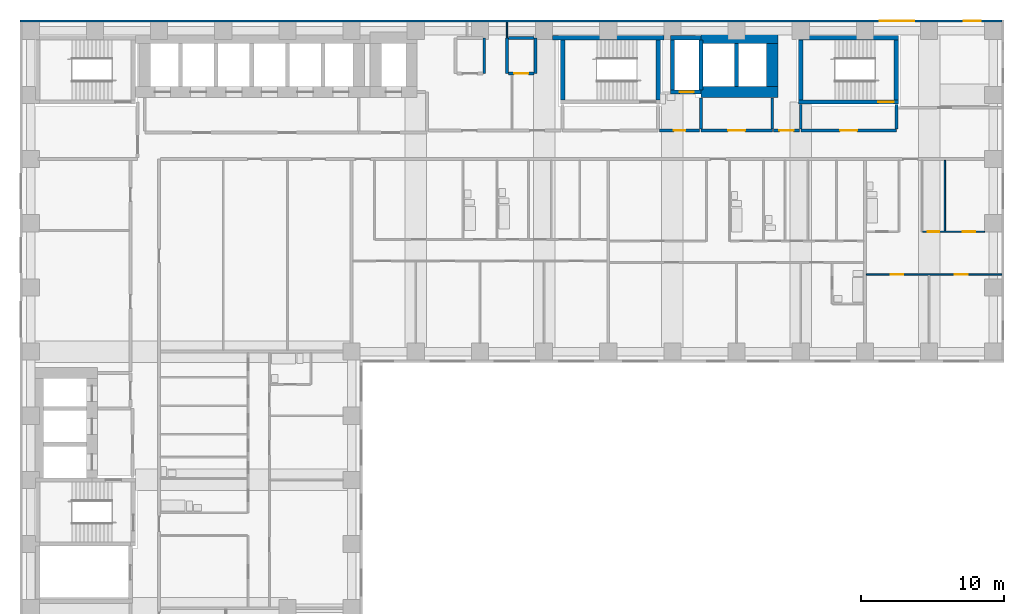
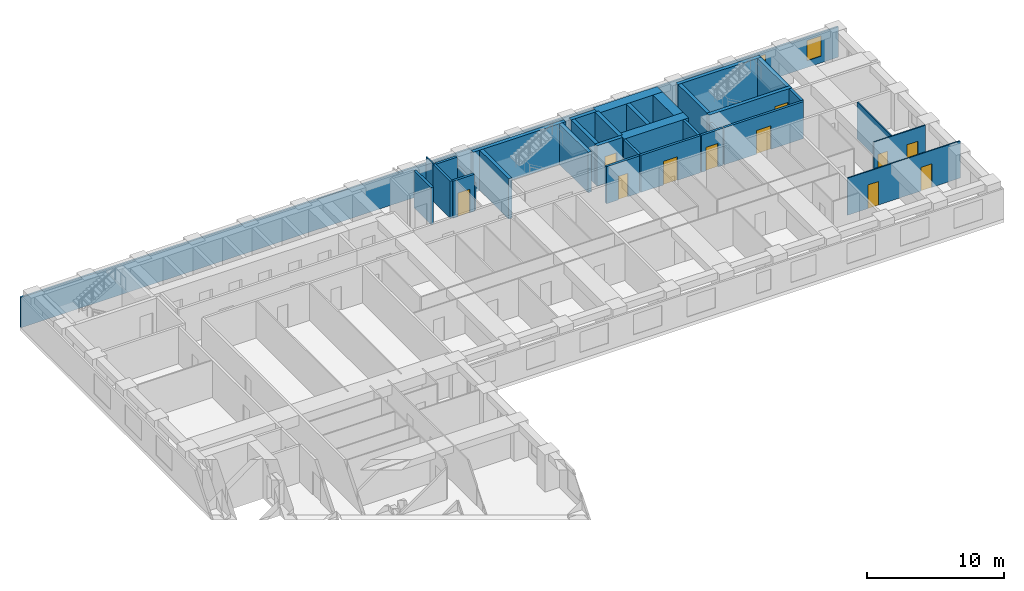
# One storey, part 8 of 12: 33 walls, 11 doors, 2 windows, 13 openings.
"""IFC4 building model written with IfcOpenShell, lengths in metres."""

from ifc_helpers import new_model, si_unit, direction, frame, frame_2d, origin, place, context, subcontext, project, spatial, rectangle, extrude, material, layer, layer_set, type_object, element, fill, save


model = new_model("IFC4")

# Units and contexts
model_context = context("Model", 3, precision=1e-05, world=origin(), true_north=direction((0.0, 1.0)))
body_context = subcontext(model_context, "Body", "Model", "MODEL_VIEW")
ifc_project = project(units=[si_unit("LENGTHUNIT", "METRE"), si_unit("AREAUNIT", "SQUARE_METRE"), si_unit("VOLUMEUNIT", "CUBIC_METRE"), si_unit("PLANEANGLEUNIT", "RADIAN"), si_unit("MASSUNIT", "GRAM", prefix="KILO")], contexts=[model_context])

# Site, building, storey
site_placement = place(None, origin())
site = spatial("IfcSite", under=ifc_project, at=site_placement, CompositionType="ELEMENT")
building_placement = place(site_placement, origin())
building = spatial("IfcBuilding", under=site, at=building_placement, Name="Firuza Court", CompositionType="ELEMENT")
storey_placement = place(building_placement, frame((0.0, 0.0, 97.39990234375)))
storey = spatial("IfcBuildingStorey", under=building, at=storey_placement, Name="L24", CompositionType="ELEMENT", Elevation=97.39990234375)

# Walls
ifc_material_1 = material(Name="Concrete C60/75", Category="concrete")
ifc_layer_1 = layer(ifc_material_1, 0.300048828125)
ifc_layer_set_1 = layer_set([ifc_layer_1], Name="Concrete C60/75")
wall_type_1 = type_object("IfcWallType", Name="Core wall 300 C60/75", PredefinedType="SHEAR", material=ifc_layer_set_1)
wall_1_placement = place(storey_placement, frame((36.60009765625, 58.0, -0.2998046875), z_axis=(0.0, 0.0, 1.0), x_axis=(1.0, 0.0, 0.0)))
element("IfcWall", 1, at=wall_1_placement, inside=storey, type_object=wall_type_1, Name="Core wall stair L24", PredefinedType="SHEAR", context=body_context, shape_type="SweptSolid", body=[
    extrude(rectangle(XDim=7.7998046875, YDim=0.300048828125, at=frame_2d((3.89990234375, 0.0))), origin(), (0.0, 0.0, 1.0), 3.599853515625),
])
for number, where, z_axis, x_axis, name in (
    (2, (37.300048828125, 53.64990234375, -0.2998046875), (0.0, 0.0, 1.0), (0.0, 1.0, 0.0), "Core wall stair L24"),
    (3, (44.0, 53.64990234375, -0.2998046875), (0.0, 0.0, 1.0), (0.0, 1.0, 0.0), "Core wall stair L24"),
):
    element("IfcWall", number, at=place(storey_placement, frame(where, z_axis=z_axis, x_axis=x_axis)), inside=storey, type_object=wall_type_1, Name=name, PredefinedType="SHEAR", context=body_context, shape_type="SweptSolid", body=[
        extrude(rectangle(XDim=4.2001953125, YDim=0.300048828125, at=frame_2d((2.10009765625, 0.0))), origin(), (0.0, 0.0, 1.0), 3.599853515625),
    ])

# Wall, opening, door
wall_2_placement = place(storey_placement, frame((44.85009765625, 54.199951171875, -0.2998046875), z_axis=(0.0, 0.0, 1.0), x_axis=(1.0, 0.0, 0.0)))
wall_2 = element("IfcWall", 4, at=wall_2_placement, inside=storey, type_object=wall_type_1, Name="Core wall riser L24", PredefinedType="SHEAR", context=body_context, shape_type="SweptSolid", body=[
    extrude(rectangle(XDim=2.14990234375, YDim=0.300048828125, at=frame_2d((1.074951171875, 0.0))), origin(), (0.0, 0.0, 1.0), 3.599853515625),
])
opening_1_placement = place(wall_2_placement, frame((0.64990234375, 0.0, 0.300048828125)))
opening_1 = element("IfcOpeningElement", 5, at=opening_1_placement, cuts=wall_2, Name="Opening D24011", PredefinedType="OPENING", context=body_context, shape_type="SweptSolid", body=[
    extrude(rectangle(XDim=1.0, YDim=2.10009765625, at=frame_2d((0.5, 1.050048828125))), frame((0.0, 0.162109375, 0.0), z_axis=(0.0, -1.0, 0.0), x_axis=(1.0, 0.0, 0.0)), (0.0, 0.0, 1.0), 0.323974609375),
])
ifc_material_2 = material(Name="Timber door leaf in hardwood frame", Category="wood")
door_type_1 = type_object("IfcDoorType", Name="Riser door 1000", OperationType="SINGLE_SWING_LEFT", PredefinedType="DOOR", material=ifc_material_2)
door_1_placement = place(opening_1_placement, origin())
door_1 = element("IfcDoor", 6, at=door_1_placement, inside=storey, type_object=door_type_1, Name="Riser door R3", OperationType="SINGLE_SWING_LEFT", OverallHeight=2.10009765625, OverallWidth=1.0, PredefinedType="DOOR", context=body_context, shape_type="SweptSolid", body=[
    extrude(rectangle(XDim=1.0, YDim=2.10009765625, at=frame_2d((0.5, 1.050048828125))), frame((0.0, 0.02490234375, 0.0), z_axis=(0.0, -1.0, 0.0), x_axis=(1.0, 0.0, 0.0)), (0.0, 0.0, 1.0), 0.050048828125),
])
fill(opening_1, door_1)

# Walls
wall_3_placement = place(storey_placement, frame((44.85009765625, 58.0, -0.2998046875), z_axis=(0.0, 0.0, 1.0), x_axis=(1.0, 0.0, 0.0)))
element("IfcWall", 7, at=wall_3_placement, inside=storey, type_object=wall_type_1, Name="Core wall riser L24", PredefinedType="SHEAR", context=body_context, shape_type="SweptSolid", body=[
    extrude(rectangle(XDim=2.14990234375, YDim=0.300048828125, at=frame_2d((1.074951171875, 0.0))), origin(), (0.0, 0.0, 1.0), 3.599853515625),
])
for number, where, z_axis, x_axis, name in (
    (8, (45.0, 54.35009765625, -0.2998046875), (0.0, 0.0, 1.0), (0.0, 1.0, 0.0), "Core wall riser L24"),
    (9, (47.0, 54.35009765625, -0.2998046875), (0.0, 0.0, 1.0), (0.0, 1.0, 0.0), "Core wall lift shaft L24"),
):
    element("IfcWall", number, at=place(storey_placement, frame(where, z_axis=z_axis, x_axis=x_axis)), inside=storey, type_object=wall_type_1, Name=name, PredefinedType="SHEAR", context=body_context, shape_type="SweptSolid", body=[
        extrude(rectangle(XDim=3.5, YDim=0.300048828125, at=frame_2d((1.75, 0.0))), origin(), (0.0, 0.0, 1.0), 3.599853515625),
    ])
wall_4_placement = place(storey_placement, frame((49.5, 54.60009765625, -0.2998046875), z_axis=(0.0, 0.0, 1.0), x_axis=(0.0, 1.0, 0.0)))
element("IfcWall", 10, at=wall_4_placement, inside=storey, type_object=wall_type_1, Name="Core wall lift shaft L24", PredefinedType="SHEAR", context=body_context, shape_type="SweptSolid", body=[
    extrude(rectangle(XDim=3.0, YDim=0.300048828125, at=frame_2d((1.5, 0.0))), origin(), (0.0, 0.0, 1.0), 3.599853515625),
])

# Wall, opening, door
wall_5_placement = place(storey_placement, frame((53.85009765625, 53.5, -0.2998046875), z_axis=(0.0, 0.0, 1.0), x_axis=(1.0, 0.0, 0.0)))
wall_5 = element("IfcWall", 11, at=wall_5_placement, inside=storey, type_object=wall_type_1, Name="Core wall stair L24", PredefinedType="SHEAR", context=body_context, shape_type="SweptSolid", body=[
    extrude(rectangle(XDim=7.0, YDim=0.300048828125, at=frame_2d((3.5, 0.0))), origin(), (0.0, 0.0, 1.0), 3.599853515625),
])
opening_2_placement = place(wall_5_placement, frame((5.580078125, 0.0, 0.300048828125)))
opening_2 = element("IfcOpeningElement", 12, at=opening_2_placement, cuts=wall_5, Name="Opening D24017", PredefinedType="OPENING", context=body_context, shape_type="SweptSolid", body=[
    extrude(rectangle(XDim=1.10009765625, YDim=2.10009765625, at=frame_2d((0.550048828125, 1.050048828125))), frame((0.0, 0.162109375, 0.0), z_axis=(0.0, -1.0, 0.0), x_axis=(1.0, 0.0, 0.0)), (0.0, 0.0, 1.0), 0.323974609375),
])
ifc_material_3 = material(Name="Timber door leaf in hardwood frame", Category="wood")
door_type_2 = type_object("IfcDoorType", Name="Stair door 1100", OperationType="SINGLE_SWING_LEFT", PredefinedType="DOOR", material=ifc_material_3)
door_2_placement = place(opening_2_placement, origin())
door_2 = element("IfcDoor", 13, at=door_2_placement, inside=storey, type_object=door_type_2, Name="Stair door S4", OperationType="SINGLE_SWING_RIGHT", OverallHeight=2.10009765625, OverallWidth=1.10009765625, PredefinedType="DOOR", context=body_context, shape_type="SweptSolid", body=[
    extrude(rectangle(XDim=1.10009765625, YDim=2.10009765625, at=frame_2d((0.550048828125, 1.050048828125))), frame((0.0, 0.02490234375, 0.0), z_axis=(0.0, -1.0, 0.0), x_axis=(1.0, 0.0, 0.0)), (0.0, 0.0, 1.0), 0.050048828125),
])
fill(opening_2, door_2)

# Walls
wall_6_placement = place(storey_placement, frame((53.85009765625, 58.0, -0.2998046875), z_axis=(0.0, 0.0, 1.0), x_axis=(1.0, 0.0, 0.0)))
element("IfcWall", 14, at=wall_6_placement, inside=storey, type_object=wall_type_1, Name="Core wall stair L24", PredefinedType="SHEAR", context=body_context, shape_type="SweptSolid", body=[
    extrude(rectangle(XDim=7.0, YDim=0.300048828125, at=frame_2d((3.5, 0.0))), origin(), (0.0, 0.0, 1.0), 3.599853515625),
])
for number, where, z_axis, x_axis, name in (
    (15, (54.0, 53.64990234375, -0.2998046875), (0.0, 0.0, 1.0), (0.0, 1.0, 0.0), "Core wall stair L24"),
    (16, (60.699951171875, 53.64990234375, -0.2998046875), (0.0, 0.0, 1.0), (0.0, 1.0, 0.0), "Core wall stair L24"),
):
    element("IfcWall", number, at=place(storey_placement, frame(where, z_axis=z_axis, x_axis=x_axis)), inside=storey, type_object=wall_type_1, Name=name, PredefinedType="SHEAR", context=body_context, shape_type="SweptSolid", body=[
        extrude(rectangle(XDim=4.2001953125, YDim=0.300048828125, at=frame_2d((2.10009765625, 0.0))), origin(), (0.0, 0.0, 1.0), 3.599853515625),
    ])
ifc_layer_2 = layer(ifc_material_1, 0.800048828125)
ifc_layer_set_2 = layer_set([ifc_layer_2], Name="Concrete C60/75")
wall_type_2 = type_object("IfcWallType", Name="Core wall 800 C60/75", PredefinedType="SHEAR", material=ifc_layer_set_2)
for number, where, z_axis, x_axis, name in (
    (17, (47.0, 54.199951171875, -0.2998046875), (0.0, 0.0, 1.0), (1.0, 0.0, 0.0), "Core wall lift shaft L24"),
    (18, (47.0, 58.0, -0.2998046875), (0.0, 0.0, 1.0), (1.0, 0.0, 0.0), "Core wall lift shaft L24"),
):
    element("IfcWall", number, at=place(storey_placement, frame(where, z_axis=z_axis, x_axis=x_axis)), inside=storey, type_object=wall_type_2, Name=name, PredefinedType="SHEAR", context=body_context, shape_type="SweptSolid", body=[
        extrude(rectangle(XDim=5.39990234375, YDim=0.800048828125, at=frame_2d((2.699951171875, 0.0))), origin(), (0.0, 0.0, 1.0), 3.599853515625),
    ])
wall_7_placement = place(storey_placement, frame((52.0, 54.60009765625, -0.2998046875), z_axis=(0.0, 0.0, 1.0), x_axis=(0.0, 1.0, 0.0)))
element("IfcWall", 19, at=wall_7_placement, inside=storey, type_object=wall_type_2, Name="Core wall lift shaft L24", PredefinedType="SHEAR", context=body_context, shape_type="SweptSolid", body=[
    extrude(rectangle(XDim=3.0, YDim=0.800048828125, at=frame_2d((1.5, 0.0))), origin(), (0.0, 0.0, 1.0), 3.599853515625),
])

# Wall, opening, door
ifc_material_4 = material(Name="Blockwork, plastered both sides", Category="masonry")
ifc_layer_3 = layer(ifc_material_4, 0.199951171875)
ifc_layer_set_3 = layer_set([ifc_layer_3], Name="Blockwork, plastered both sides")
wall_type_3 = type_object("IfcWallType", Name="Corridor wall 200", PredefinedType="PARTITIONING", material=ifc_layer_set_3)
wall_8_placement = place(storey_placement, frame((44.10009765625, 51.5, 0.0), z_axis=(0.0, 0.0, 1.0), x_axis=(1.0, 0.0, 0.0)))
wall_8 = element("IfcWall", 20, at=wall_8_placement, inside=storey, type_object=wall_type_3, Name="Corridor wall 200 L24", PredefinedType="PARTITIONING", context=body_context, shape_type="SweptSolid", body=[
    extrude(rectangle(XDim=2.7998046875, YDim=0.199951171875, at=frame_2d((1.39990234375, 0.0))), origin(), (0.0, 0.0, 1.0), 3.300048828125),
])
opening_3_placement = place(wall_8_placement, frame((1.0, 0.0, 0.0)))
opening_3 = element("IfcOpeningElement", 21, at=opening_3_placement, cuts=wall_8, Name="Opening D24073", PredefinedType="OPENING", context=body_context, shape_type="SweptSolid", body=[
    extrude(rectangle(XDim=0.800048828125, YDim=2.10009765625, at=frame_2d((0.39990234375, 1.050048828125))), frame((0.0, 0.11181640625, 0.0), z_axis=(0.0, -1.0, 0.0), x_axis=(1.0, 0.0, 0.0)), (0.0, 0.0, 1.0), 0.223876953125),
])
ifc_material_5 = material(Name="Timber door leaf in hardwood frame", Category="wood")
door_type_3 = type_object("IfcDoorType", Name="Bathroom door 800 EI 30", OperationType="SINGLE_SWING_LEFT", PredefinedType="DOOR", material=ifc_material_5)
door_3_placement = place(opening_3_placement, origin())
door_3 = element("IfcDoor", 22, at=door_3_placement, inside=storey, type_object=door_type_3, Name="Accessible WC door", OperationType="SINGLE_SWING_LEFT", OverallHeight=2.10009765625, OverallWidth=0.800048828125, PredefinedType="DOOR", context=body_context, shape_type="SweptSolid", body=[
    extrude(rectangle(XDim=0.800048828125, YDim=2.10009765625, at=frame_2d((0.39990234375, 1.050048828125))), frame((0.0, 0.02490234375, 0.0), z_axis=(0.0, -1.0, 0.0), x_axis=(1.0, 0.0, 0.0)), (0.0, 0.0, 1.0), 0.050048828125),
])
fill(opening_3, door_3)

wall_9_placement = place(storey_placement, frame((52.10009765625, 51.5, 0.0), z_axis=(0.0, 0.0, 1.0), x_axis=(1.0, 0.0, 0.0)))
wall_9 = element("IfcWall", 23, at=wall_9_placement, inside=storey, type_object=wall_type_3, Name="Corridor wall 200 L24", PredefinedType="PARTITIONING", context=body_context, shape_type="SweptSolid", body=[
    extrude(rectangle(XDim=1.7998046875, YDim=0.199951171875, at=frame_2d((0.89990234375, 0.0))), origin(), (0.0, 0.0, 1.0), 3.300048828125),
])
opening_4_placement = place(wall_9_placement, frame((0.39990234375, 0.0, 0.0)))
opening_4 = element("IfcOpeningElement", 24, at=opening_4_placement, cuts=wall_9, Name="Opening D24074", PredefinedType="OPENING", context=body_context, shape_type="SweptSolid", body=[
    extrude(rectangle(XDim=1.0, YDim=2.10009765625, at=frame_2d((0.5, 1.050048828125))), frame((0.0, 0.11181640625, 0.0), z_axis=(0.0, -1.0, 0.0), x_axis=(1.0, 0.0, 0.0)), (0.0, 0.0, 1.0), 0.223876953125),
])
ifc_material_6 = material(Name="Timber door leaf in hardwood frame", Category="wood")
door_type_4 = type_object("IfcDoorType", Name="Store door 1000", OperationType="SINGLE_SWING_LEFT", PredefinedType="DOOR", material=ifc_material_6)
door_4_placement = place(opening_4_placement, origin())
door_4 = element("IfcDoor", 25, at=door_4_placement, inside=storey, type_object=door_type_4, Name="Cleaner's store door", OperationType="SINGLE_SWING_LEFT", OverallHeight=2.10009765625, OverallWidth=1.0, PredefinedType="DOOR", context=body_context, shape_type="SweptSolid", body=[
    extrude(rectangle(XDim=1.0, YDim=2.10009765625, at=frame_2d((0.5, 1.050048828125))), frame((0.0, 0.02490234375, 0.0), z_axis=(0.0, -1.0, 0.0), x_axis=(1.0, 0.0, 0.0)), (0.0, 0.0, 1.0), 0.050048828125),
])
fill(opening_4, door_4)

# Wall, openings, doors
ifc_material_7 = material(Name="Timber stud partition, plasterboard both sides", Category="wood")
ifc_layer_4 = layer(ifc_material_7, 0.10009765625)
ifc_layer_set_4 = layer_set([ifc_layer_4], Name="Timber stud partition, plasterboard both sides")
wall_type_4 = type_object("IfcWallType", Name="Partition wall 100", PredefinedType="PARTITIONING", material=ifc_layer_set_4)
wall_10_placement = place(storey_placement, frame((58.60009765625, 41.39990234375, 0.0), z_axis=(0.0, 0.0, 1.0), x_axis=(1.0, 0.0, 0.0)))
wall_10 = element("IfcWall", 26, at=wall_10_placement, inside=storey, type_object=wall_type_4, Name="Partition wall 100 L24", PredefinedType="PARTITIONING", context=body_context, shape_type="SweptSolid", body=[
    extrude(rectangle(XDim=9.5, YDim=0.10009765625, at=frame_2d((4.75, 0.0))), origin(), (0.0, 0.0, 1.0), 3.300048828125),
])
opening_5_placement = place(wall_10_placement, frame((1.699951171875, 0.0, 0.0)))
opening_5 = element("IfcOpeningElement", 27, at=opening_5_placement, cuts=wall_10, Name="Opening D24042", PredefinedType="OPENING", context=body_context, shape_type="SweptSolid", body=[
    extrude(rectangle(XDim=0.89990234375, YDim=2.10009765625, at=frame_2d((0.449951171875, 1.050048828125))), frame((0.0, 0.06201171875, 0.0), z_axis=(0.0, -1.0, 0.0), x_axis=(1.0, 0.0, 0.0)), (0.0, 0.0, 1.0), 0.1240234375),
])
opening_6_placement = place(wall_10_placement, frame((6.199951171875, 0.0, 0.0)))
opening_6 = element("IfcOpeningElement", 28, at=opening_6_placement, cuts=wall_10, Name="Opening D24043", PredefinedType="OPENING", context=body_context, shape_type="SweptSolid", body=[
    extrude(rectangle(XDim=0.89990234375, YDim=2.10009765625, at=frame_2d((0.449951171875, 1.050048828125))), frame((0.0, 0.06201171875, 0.0), z_axis=(0.0, -1.0, 0.0), x_axis=(1.0, 0.0, 0.0)), (0.0, 0.0, 1.0), 0.1240234375),
])
ifc_material_8 = material(Name="Timber door leaf in hardwood frame", Category="wood")
door_type_5 = type_object("IfcDoorType", Name="Room door 900", OperationType="SINGLE_SWING_LEFT", PredefinedType="DOOR", material=ifc_material_8)
door_5_placement = place(opening_5_placement, frame((0.89990234375, 0.0, 0.0), z_axis=(0.0, 0.0, 1.0), x_axis=(-1.0, 0.0, 0.0)))
door_5 = element("IfcDoor", 29, at=door_5_placement, inside=storey, type_object=door_type_5, Name="Bedroom door", OperationType="SINGLE_SWING_RIGHT", OverallHeight=2.10009765625, OverallWidth=0.89990234375, PredefinedType="DOOR", context=body_context, shape_type="SweptSolid", body=[
    extrude(rectangle(XDim=0.89990234375, YDim=2.10009765625, at=frame_2d((0.449951171875, 1.050048828125))), frame((0.0, 0.02490234375, 0.0), z_axis=(0.0, -1.0, 0.0), x_axis=(1.0, 0.0, 0.0)), (0.0, 0.0, 1.0), 0.050048828125),
])
fill(opening_5, door_5)
door_6_placement = place(opening_6_placement, frame((0.89990234375, 0.0, 0.0), z_axis=(0.0, 0.0, 1.0), x_axis=(-1.0, 0.0, 0.0)))
door_6 = element("IfcDoor", 30, at=door_6_placement, inside=storey, type_object=door_type_5, Name="Living room door", OperationType="SINGLE_SWING_RIGHT", OverallHeight=2.10009765625, OverallWidth=0.89990234375, PredefinedType="DOOR", context=body_context, shape_type="SweptSolid", body=[
    extrude(rectangle(XDim=0.89990234375, YDim=2.10009765625, at=frame_2d((0.449951171875, 1.050048828125))), frame((0.0, 0.02490234375, 0.0), z_axis=(0.0, -1.0, 0.0), x_axis=(1.0, 0.0, 0.0)), (0.0, 0.0, 1.0), 0.050048828125),
])
fill(opening_6, door_6)

wall_11_placement = place(storey_placement, frame((62.550048828125, 44.39990234375, 0.0), z_axis=(0.0, 0.0, 1.0), x_axis=(1.0, 0.0, 0.0)))
wall_11 = element("IfcWall", 31, at=wall_11_placement, inside=storey, type_object=wall_type_4, Name="Partition wall 100 L24", PredefinedType="PARTITIONING", context=body_context, shape_type="SweptSolid", body=[
    extrude(rectangle(XDim=4.349853515625, YDim=0.10009765625, at=frame_2d((2.1748046875, 0.0))), origin(), (0.0, 0.0, 1.0), 3.300048828125),
])
opening_7_placement = place(wall_11_placement, frame((2.800048828125, 0.0, 0.0)))
opening_7 = element("IfcOpeningElement", 32, at=opening_7_placement, cuts=wall_11, Name="Opening D24064", PredefinedType="OPENING", context=body_context, shape_type="SweptSolid", body=[
    extrude(rectangle(XDim=0.89990234375, YDim=2.10009765625, at=frame_2d((0.449951171875, 1.050048828125))), frame((0.0, 0.06201171875, 0.0), z_axis=(0.0, -1.0, 0.0), x_axis=(1.0, 0.0, 0.0)), (0.0, 0.0, 1.0), 0.1240234375),
])
opening_8_placement = place(wall_11_placement, frame((0.35009765625, 0.0, 0.0)))
opening_8 = element("IfcOpeningElement", 33, at=opening_8_placement, cuts=wall_11, Name="Opening D24065", PredefinedType="OPENING", context=body_context, shape_type="SweptSolid", body=[
    extrude(rectangle(XDim=0.800048828125, YDim=2.10009765625, at=frame_2d((0.39990234375, 1.050048828125))), frame((0.0, 0.06201171875, 0.0), z_axis=(0.0, -1.0, 0.0), x_axis=(1.0, 0.0, 0.0)), (0.0, 0.0, 1.0), 0.1240234375),
])
ifc_material_9 = material(Name="Timber door leaf in hardwood frame", Category="wood")
door_type_6 = type_object("IfcDoorType", Name="Room door 800", OperationType="SINGLE_SWING_LEFT", PredefinedType="DOOR", material=ifc_material_9)
door_7_placement = place(opening_8_placement, origin())
door_7 = element("IfcDoor", 34, at=door_7_placement, inside=storey, type_object=door_type_6, Name="Store door", OperationType="SINGLE_SWING_LEFT", OverallHeight=2.10009765625, OverallWidth=0.800048828125, PredefinedType="DOOR", context=body_context, shape_type="SweptSolid", body=[
    extrude(rectangle(XDim=0.800048828125, YDim=2.10009765625, at=frame_2d((0.39990234375, 1.050048828125))), frame((0.0, 0.02490234375, 0.0), z_axis=(0.0, -1.0, 0.0), x_axis=(1.0, 0.0, 0.0)), (0.0, 0.0, 1.0), 0.050048828125),
])
fill(opening_8, door_7)
door_8_placement = place(opening_7_placement, origin())
door_8 = element("IfcDoor", 35, at=door_8_placement, inside=storey, type_object=door_type_5, Name="Kitchen door", OperationType="SINGLE_SWING_RIGHT", OverallHeight=2.10009765625, OverallWidth=0.89990234375, PredefinedType="DOOR", context=body_context, shape_type="SweptSolid", body=[
    extrude(rectangle(XDim=0.89990234375, YDim=2.10009765625, at=frame_2d((0.449951171875, 1.050048828125))), frame((0.0, 0.02490234375, 0.0), z_axis=(0.0, -1.0, 0.0), x_axis=(1.0, 0.0, 0.0)), (0.0, 0.0, 1.0), 0.050048828125),
])
fill(opening_7, door_8)

# Walls
wall_12_placement = place(storey_placement, frame((64.10009765625, 44.449951171875, 0.0), z_axis=(0.0, 0.0, 1.0), x_axis=(0.0, 1.0, 0.0)))
element("IfcWall", 36, at=wall_12_placement, inside=storey, type_object=wall_type_4, Name="Partition wall 100 L24", PredefinedType="PARTITIONING", context=body_context, shape_type="SweptSolid", body=[
    extrude(rectangle(XDim=4.949951171875, YDim=0.10009765625, at=frame_2d((2.47509765625, 0.0))), origin(), (0.0, 0.0, 1.0), 3.300048828125),
])
wall_13_placement = place(storey_placement, frame((33.39990234375, 58.0, 0.0), z_axis=(0.0, 0.0, 1.0), x_axis=(0.0, 1.0, 0.0)))
element("IfcWall", 37, at=wall_13_placement, inside=storey, type_object=wall_type_4, Name="Partition wall 100 L24", PredefinedType="PARTITIONING", context=body_context, shape_type="SweptSolid", body=[
    extrude(rectangle(XDim=1.10009765625, YDim=0.10009765625, at=frame_2d((0.550048828125, 0.0))), origin(), (0.0, 0.0, 1.0), 3.300048828125),
])
ifc_material_10 = material(Name="Blockwork, fire-rated", Category="masonry")
ifc_layer_5 = layer(ifc_material_10, 0.199951171875)
ifc_layer_set_5 = layer_set([ifc_layer_5], Name="Blockwork, fire-rated")
wall_type_5 = type_object("IfcWallType", Name="Plant room wall 200", PredefinedType="PARTITIONING", material=ifc_layer_set_5)
for number, where, z_axis, x_axis, name in (
    (38, (31.800048828125, 55.5, 0.0), (0.0, 0.0, 1.0), (0.0, 1.0, 0.0), "Plant room wall 200 L24"),
    (39, (33.39990234375, 55.5, 0.0), (0.0, 0.0, 1.0), (0.0, 1.0, 0.0), "Plant room wall 200 L24"),
):
    element("IfcWall", number, at=place(storey_placement, frame(where, z_axis=z_axis, x_axis=x_axis)), inside=storey, type_object=wall_type_5, Name=name, PredefinedType="PARTITIONING", context=body_context, shape_type="SweptSolid", body=[
        extrude(rectangle(XDim=2.5, YDim=0.199951171875, at=frame_2d((1.25, 0.0))), origin(), (0.0, 0.0, 1.0), 3.300048828125),
    ])

# Wall, opening, door
wall_14_placement = place(storey_placement, frame((33.5, 55.5, 0.0), z_axis=(0.0, 0.0, 1.0), x_axis=(1.0, 0.0, 0.0)))
wall_14 = element("IfcWall", 40, at=wall_14_placement, inside=storey, type_object=wall_type_5, Name="Plant room wall 200 L24", PredefinedType="PARTITIONING", context=body_context, shape_type="SweptSolid", body=[
    extrude(rectangle(XDim=1.800048828125, YDim=0.199951171875, at=frame_2d((0.89990234375, 0.0))), origin(), (0.0, 0.0, 1.0), 3.300048828125),
])
opening_9_placement = place(wall_14_placement, frame((0.39990234375, 0.0, 0.0)))
opening_9 = element("IfcOpeningElement", 41, at=opening_9_placement, cuts=wall_14, Name="Opening D24077", PredefinedType="OPENING", context=body_context, shape_type="SweptSolid", body=[
    extrude(rectangle(XDim=1.0, YDim=2.10009765625, at=frame_2d((0.5, 1.050048828125))), frame((0.0, 0.11181640625, 0.0), z_axis=(0.0, -1.0, 0.0), x_axis=(1.0, 0.0, 0.0)), (0.0, 0.0, 1.0), 0.223876953125),
])
door_9_placement = place(opening_9_placement, origin())
door_9 = element("IfcDoor", 42, at=door_9_placement, inside=storey, type_object=door_type_1, Name="Duct riser door", OperationType="SINGLE_SWING_LEFT", OverallHeight=2.10009765625, OverallWidth=1.0, PredefinedType="DOOR", context=body_context, shape_type="SweptSolid", body=[
    extrude(rectangle(XDim=1.0, YDim=2.10009765625, at=frame_2d((0.5, 1.050048828125))), frame((0.0, 0.02490234375, 0.0), z_axis=(0.0, -1.0, 0.0), x_axis=(1.0, 0.0, 0.0)), (0.0, 0.0, 1.0), 0.050048828125),
])
fill(opening_9, door_9)

# Walls
wall_15_placement = place(storey_placement, frame((35.39990234375, 55.5, 0.0), z_axis=(0.0, 0.0, 1.0), x_axis=(0.0, 1.0, 0.0)))
element("IfcWall", 43, at=wall_15_placement, inside=storey, type_object=wall_type_5, Name="Plant room wall 200 L24", PredefinedType="PARTITIONING", context=body_context, shape_type="SweptSolid", body=[
    extrude(rectangle(XDim=2.5, YDim=0.199951171875, at=frame_2d((1.25, 0.0))), origin(), (0.0, 0.0, 1.0), 2.400146484375),
])
wall_16_placement = place(storey_placement, frame((33.5, 58.0, 0.0), z_axis=(0.0, 0.0, 1.0), x_axis=(1.0, 0.0, 0.0)))
element("IfcWall", 44, at=wall_16_placement, inside=storey, type_object=wall_type_5, Name="Plant room wall 200 L24", PredefinedType="PARTITIONING", context=body_context, shape_type="SweptSolid", body=[
    extrude(rectangle(XDim=1.800048828125, YDim=0.199951171875, at=frame_2d((0.89990234375, 0.0))), origin(), (0.0, 0.0, 1.0), 3.300048828125),
])

# Wall, openings, windows
ifc_material_11 = material(Name="Ceramic tile", Category="ceramic")
ifc_layer_6 = layer(ifc_material_11, 0.02001953125)
ifc_material_12 = material(Name="Mineral wool insulation", Category="insulation")
ifc_layer_7 = layer(ifc_material_12, 0.050048828125)
ifc_material_13 = material(Name="Concrete C40/50 precast", Category="concrete")
ifc_layer_8 = layer(ifc_material_13, 0.080078125)
ifc_layer_set_6 = layer_set([ifc_layer_6, ifc_layer_7, ifc_layer_8], Name="Concrete C40/50 precast")
wall_type_6 = type_object("IfcWallType", Name="Precast cladding wall with turquoise TILE PANEL face 150", PredefinedType="STANDARD", material=ifc_layer_set_6)
wall_17_placement = place(storey_placement, frame((68.10009765625, 59.175048828125, 0.0), z_axis=(0.0, 0.0, 1.0), x_axis=(-1.0, 0.0, 0.0)))
wall_17 = element("IfcWall", 45, at=wall_17_placement, inside=storey, type_object=wall_type_6, Name="Facade wall L24 N", PredefinedType="STANDARD", context=body_context, shape_type="SweptSolid", body=[
    extrude(rectangle(XDim=68.85009765625, YDim=0.14990234375, at=frame_2d((34.425048828125, 0.0))), origin(), (0.0, 0.0, 1.0), 2.7001953125),
])
opening_10_placement = place(wall_17_placement, frame((1.474365234375, 0.0, 0.60009765625)))
opening_10 = element("IfcOpeningElement", 46, at=opening_10_placement, cuts=wall_17, Name="Opening W8", PredefinedType="OPENING", context=body_context, shape_type="SweptSolid", body=[
    extrude(rectangle(XDim=1.199951171875, YDim=1.800048828125, at=frame_2d((0.60009765625, 0.89990234375))), frame((0.0, 0.0869140625, 0.0), z_axis=(0.0, -1.0, 0.0), x_axis=(1.0, 0.0, 0.0)), (0.0, 0.0, 1.0), 0.173828125),
])
opening_11_placement = place(wall_17_placement, frame((6.14990234375, 0.0, 0.60009765625)))
opening_11 = element("IfcOpeningElement", 47, at=opening_11_placement, cuts=wall_17, Name="Opening W1", PredefinedType="OPENING", context=body_context, shape_type="SweptSolid", body=[
    extrude(rectangle(XDim=2.39990234375, YDim=1.800048828125, at=frame_2d((1.199951171875, 0.89990234375))), frame((0.0, 0.0869140625, 0.0), z_axis=(0.0, -1.0, 0.0), x_axis=(1.0, 0.0, 0.0)), (0.0, 0.0, 1.0), 0.173828125),
])
ifc_material_14 = material(Name="Aluminium frame, triple clear glazing", Category="aluminium")
window_type_1 = type_object("IfcWindowType", Name="Window W1 2400 x 1800", PartitioningType="SINGLE_PANEL", PredefinedType="WINDOW", material=ifc_material_14)
window_1_placement = place(opening_11_placement, origin())
window_1 = element("IfcWindow", 48, at=window_1_placement, inside=storey, type_object=window_type_1, Name="Window L24", OverallHeight=1.800048828125, OverallWidth=2.39990234375, PartitioningType="SINGLE_PANEL", PredefinedType="WINDOW", context=body_context, shape_type="SweptSolid", body=[
    extrude(rectangle(XDim=2.39990234375, YDim=1.800048828125, at=frame_2d((1.199951171875, 0.89990234375))), frame((0.0, 0.030029296875, 0.0), z_axis=(0.0, -1.0, 0.0), x_axis=(1.0, 0.0, 0.0)), (0.0, 0.0, 1.0), 0.06005859375),
])
fill(opening_11, window_1)
ifc_material_15 = material(Name="Aluminium frame, triple clear glazing", Category="aluminium")
window_type_2 = type_object("IfcWindowType", Name="Window W8 1200 x 1800", PartitioningType="SINGLE_PANEL", PredefinedType="WINDOW", material=ifc_material_15)
window_2_placement = place(opening_10_placement, origin())
window_2 = element("IfcWindow", 49, at=window_2_placement, inside=storey, type_object=window_type_2, Name="Window L24", OverallHeight=1.800048828125, OverallWidth=1.199951171875, PartitioningType="SINGLE_PANEL", PredefinedType="WINDOW", context=body_context, shape_type="SweptSolid", body=[
    extrude(rectangle(XDim=1.199951171875, YDim=1.800048828125, at=frame_2d((0.60009765625, 0.89990234375))), frame((0.0, 0.030029296875, 0.0), z_axis=(0.0, -1.0, 0.0), x_axis=(1.0, 0.0, 0.0)), (0.0, 0.0, 1.0), 0.06005859375),
])
fill(opening_10, window_2)

# Wall, opening, door
ifc_layer_9 = layer(ifc_material_10, 0.199951171875)
ifc_layer_set_7 = layer_set([ifc_layer_9], Name="Blockwork, fire-rated")
wall_type_7 = type_object("IfcWallType", Name="Shaft wall 200", PredefinedType="PARTITIONING", material=ifc_layer_set_7)
wall_18_placement = place(storey_placement, frame((47.0, 51.5, 0.0), z_axis=(0.0, 0.0, 1.0), x_axis=(1.0, 0.0, 0.0)))
wall_18 = element("IfcWall", 50, at=wall_18_placement, inside=storey, type_object=wall_type_7, Name="Shaft wall 200 L24", PredefinedType="PARTITIONING", context=body_context, shape_type="SweptSolid", body=[
    extrude(rectangle(XDim=5.0, YDim=0.199951171875, at=frame_2d((2.5, 0.0))), origin(), (0.0, 0.0, 1.0), 3.300048828125),
])
opening_12_placement = place(wall_18_placement, frame((1.89990234375, 0.0, 0.0)))
opening_12 = element("IfcOpeningElement", 51, at=opening_12_placement, cuts=wall_18, Name="Opening D24009", PredefinedType="OPENING", context=body_context, shape_type="SweptSolid", body=[
    extrude(rectangle(XDim=1.199951171875, YDim=2.10009765625, at=frame_2d((0.60009765625, 1.050048828125))), frame((0.0, 0.11181640625, 0.0), z_axis=(0.0, -1.0, 0.0), x_axis=(1.0, 0.0, 0.0)), (0.0, 0.0, 1.0), 0.223876953125),
])
ifc_material_16 = material(Name="Timber door leaf in hardwood frame", Category="wood")
door_type_7 = type_object("IfcDoorType", Name="Lobby door 1200", OperationType="SINGLE_SWING_LEFT", PredefinedType="DOOR", material=ifc_material_16)
door_10_placement = place(opening_12_placement, origin())
door_10 = element("IfcDoor", 52, at=door_10_placement, inside=storey, type_object=door_type_7, Name="Lobby door", OperationType="SINGLE_SWING_LEFT", OverallHeight=2.10009765625, OverallWidth=1.199951171875, PredefinedType="DOOR", context=body_context, shape_type="SweptSolid", body=[
    extrude(rectangle(XDim=1.199951171875, YDim=2.10009765625, at=frame_2d((0.60009765625, 1.050048828125))), frame((0.0, 0.02490234375, 0.0), z_axis=(0.0, -1.0, 0.0), x_axis=(1.0, 0.0, 0.0)), (0.0, 0.0, 1.0), 0.050048828125),
])
fill(opening_12, door_10)

# Walls
for number, where, z_axis, x_axis, name in (
    (53, (52.0, 51.60009765625, 0.0), (0.0, 0.0, 1.0), (0.0, 1.0, 0.0), "Shaft wall 200 L24"),
    (54, (47.0, 51.60009765625, 0.0), (0.0, 0.0, 1.0), (0.0, 1.0, 0.0), "Shaft wall 200 L24"),
):
    element("IfcWall", number, at=place(storey_placement, frame(where, z_axis=z_axis, x_axis=x_axis)), inside=storey, type_object=wall_type_7, Name=name, PredefinedType="PARTITIONING", context=body_context, shape_type="SweptSolid", body=[
        extrude(rectangle(XDim=2.179931640625, YDim=0.199951171875, at=frame_2d((1.08984375, 0.0))), origin(), (0.0, 0.0, 1.0), 3.300048828125),
    ])

# Wall, opening, door
wall_19_placement = place(storey_placement, frame((54.0, 51.5, 0.0), z_axis=(0.0, 0.0, 1.0), x_axis=(1.0, 0.0, 0.0)))
wall_19 = element("IfcWall", 55, at=wall_19_placement, inside=storey, type_object=wall_type_7, Name="Shaft wall 200 L24", PredefinedType="PARTITIONING", context=body_context, shape_type="SweptSolid", body=[
    extrude(rectangle(XDim=6.699951171875, YDim=0.199951171875, at=frame_2d((3.35009765625, 0.0))), origin(), (0.0, 0.0, 1.0), 3.300048828125),
])
opening_13_placement = place(wall_19_placement, frame((2.75, 0.0, 0.0)))
opening_13 = element("IfcOpeningElement", 56, at=opening_13_placement, cuts=wall_19, Name="Opening D24007", PredefinedType="OPENING", context=body_context, shape_type="SweptSolid", body=[
    extrude(rectangle(XDim=1.199951171875, YDim=2.10009765625, at=frame_2d((0.60009765625, 1.050048828125))), frame((0.0, 0.11181640625, 0.0), z_axis=(0.0, -1.0, 0.0), x_axis=(1.0, 0.0, 0.0)), (0.0, 0.0, 1.0), 0.223876953125),
])
door_11_placement = place(opening_13_placement, origin())
door_11 = element("IfcDoor", 57, at=door_11_placement, inside=storey, type_object=door_type_7, Name="Lobby door", OperationType="SINGLE_SWING_LEFT", OverallHeight=2.10009765625, OverallWidth=1.199951171875, PredefinedType="DOOR", context=body_context, shape_type="SweptSolid", body=[
    extrude(rectangle(XDim=1.199951171875, YDim=2.10009765625, at=frame_2d((0.60009765625, 1.050048828125))), frame((0.0, 0.02490234375, 0.0), z_axis=(0.0, -1.0, 0.0), x_axis=(1.0, 0.0, 0.0)), (0.0, 0.0, 1.0), 0.050048828125),
])
fill(opening_13, door_11)

# Walls
wall_20_placement = place(storey_placement, frame((60.699951171875, 51.60009765625, 0.0), z_axis=(0.0, 0.0, 1.0), x_axis=(0.0, 1.0, 0.0)))
element("IfcWall", 58, at=wall_20_placement, inside=storey, type_object=wall_type_7, Name="Shaft wall 200 L24", PredefinedType="PARTITIONING", context=body_context, shape_type="SweptSolid", body=[
    extrude(rectangle(XDim=1.72998046875, YDim=0.199951171875, at=frame_2d((0.864990234375, 0.0))), origin(), (0.0, 0.0, 1.0), 3.300048828125),
])
wall_21_placement = place(storey_placement, frame((54.0, 51.60009765625, 0.0), z_axis=(0.0, 0.0, 1.0), x_axis=(0.0, 1.0, 0.0)))
element("IfcWall", 59, at=wall_21_placement, inside=storey, type_object=wall_type_7, Name="Shaft wall 200 L24", PredefinedType="PARTITIONING", context=body_context, shape_type="SweptSolid", body=[
    extrude(rectangle(XDim=1.72998046875, YDim=0.199951171875, at=frame_2d((0.864990234375, 0.0))), origin(), (0.0, 0.0, 1.0), 2.60009765625),
])

save(model, "model.ifc")
